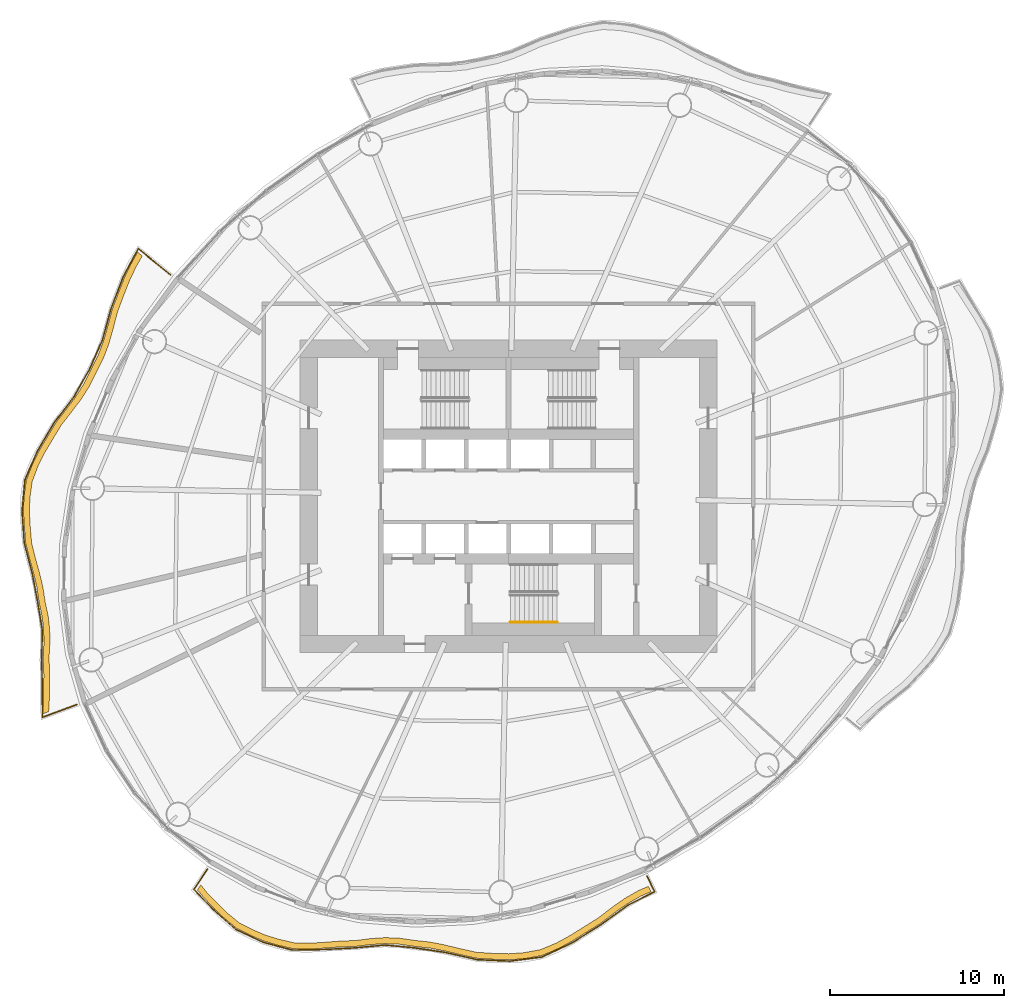
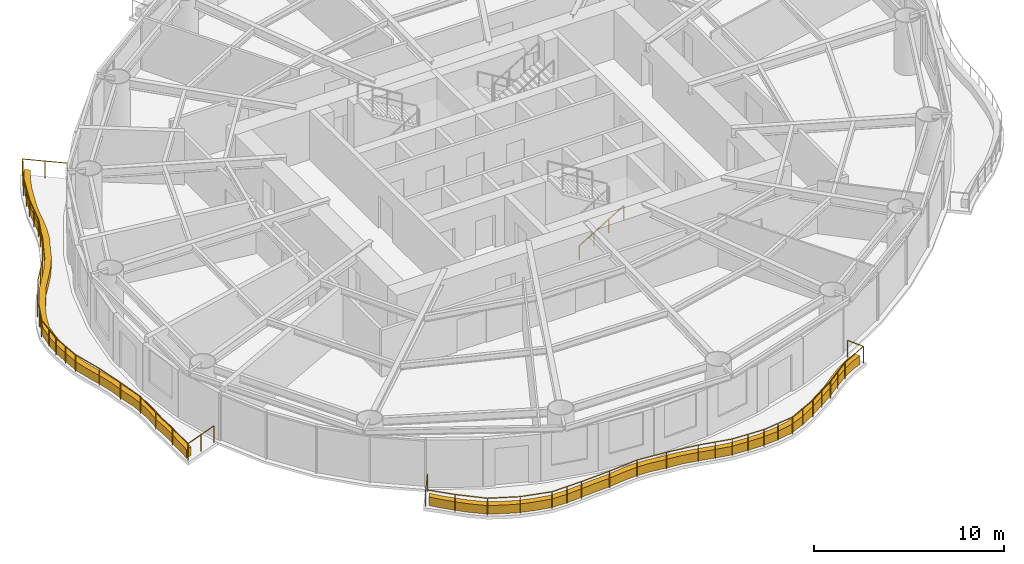
# One storey, part 12 of 14: 3 railings, 2 coverings.
"""IFC4 building model written with IfcOpenShell, lengths in metres."""

from ifc_helpers import new_model, si_unit, direction, frame, origin, origin_2d, place, context, subcontext, project, spatial, polyline, circle, outline, extrude, material, type_object, element, save


model = new_model("IFC4")

# Units and contexts
model_context = context("Model", 3, precision=1e-05, world=origin(), true_north=direction((0.0, 1.0)))
body_context = subcontext(model_context, "Body", "Model", "MODEL_VIEW")
ifc_project = project(units=[si_unit("LENGTHUNIT", "METRE"), si_unit("AREAUNIT", "SQUARE_METRE"), si_unit("VOLUMEUNIT", "CUBIC_METRE"), si_unit("PLANEANGLEUNIT", "RADIAN"), si_unit("MASSUNIT", "GRAM", prefix="KILO")], contexts=[model_context])

# Site, building, storey
site_placement = place(None, origin())
site = spatial("IfcSite", under=ifc_project, at=site_placement, CompositionType="ELEMENT")
building_placement = place(site_placement, origin())
building = spatial("IfcBuilding", under=site, at=building_placement, Name="Vermilion Reach Broadcast Tower", CompositionType="ELEMENT")
storey_placement = place(building_placement, frame((0.0, 0.0, 186.60009765625)))
storey = spatial("IfcBuildingStorey", under=building, at=storey_placement, Name="L45", CompositionType="ELEMENT", Elevation=186.60009765625)

# Coverings
ifc_material_1 = material(Name="Planting soil and greenery")
covering_type = type_object("IfcCoveringType", Name="Balcony PLANTER", PredefinedType="USERDEFINED", material=ifc_material_1)
placement = place(storey_placement, origin())
element("IfcCovering", 1, at=placement, inside=storey, type_object=covering_type, Name="PLANTER L45 group 2", ObjectType="PLANTER", PredefinedType="USERDEFINED", context=body_context, shape_type="SweptSolid", body=[
    extrude(outline(polyline([(-27.3603515625, 14.067138671875), (-27.728271484375, 13.435791015625), (-28.118408203125, 12.615966796875), (-28.453125, 11.755615234375), (-28.81787109375, 10.798583984375), (-29.07470703125, 9.82373046875), (-29.3232421875, 8.95458984375), (-29.636962890625, 8.122802734375), (-30.064208984375, 7.28466796875), (-30.47509765625, 6.456787109375), (-30.94482421875, 5.720947265625), (-31.478271484375, 5.01171875), (-32.089111328125, 4.220947265625), (-32.591064453125, 3.380126953125), (-33.03515625, 2.632568359375), (-33.422119140625, 1.86865234375), (-33.774169921875, 0.931396484375), (-33.909423828125, -0.03564453125), (-33.9365234375, -0.860107421875), (-33.889892578125, -1.69580078125), (-33.81103515625, -2.66943359375), (-33.582275390625, -3.6025390625), (-33.35791015625, -4.404052734375), (-33.167236328125, -5.205078125), (-33.036376953125, -6.085205078125), (-32.858642578125, -6.928466796875), (-32.770751953125, -7.702392578125), (-32.76025390625, -8.486328125), (-32.80517578125, -9.37646484375), (-32.763916015625, -10.260009765625), (-32.77490234375, -11.055908203125), (-32.7861328125, -11.852294921875), (-32.81005859375, -12.515625), (-32.481689453125, -12.39404296875), (-32.449462890625, -11.75634765625), (-32.438232421875, -10.960205078125), (-32.427490234375, -10.1640625), (-32.46240234375, -9.305908203125), (-32.413330078125, -8.441650390625), (-32.423583984375, -7.65771484375), (-32.51171875, -6.883544921875), (-32.686767578125, -6.065185546875), (-32.817138671875, -5.2099609375), (-33.0078125, -4.408935546875), (-33.232421875, -3.607421875), (-33.462158203125, -2.69775390625), (-33.543701171875, -1.747802734375), (-33.59033203125, -0.912109375), (-33.5634765625, -0.087646484375), (-33.43212890625, 0.857421875), (-33.08544921875, 1.772705078125), (-32.69873046875, 2.53662109375), (-32.25439453125, 3.2841796875), (-31.759033203125, 4.104736328125), (-31.15576171875, 4.875732421875), (-30.622314453125, 5.584716796875), (-30.152587890625, 6.32080078125), (-29.75048828125, 7.1298828125), (-29.33251953125, 7.949951171875), (-29.018798828125, 8.78173828125), (-28.7705078125, 9.65087890625), (-28.523681640625, 10.608642578125), (-28.170166015625, 11.549560546875), (-27.83544921875, 12.409912109375), (-27.4453125, 13.22998046875), (-27.089111328125, 13.845947265625), (-27.3603515625, 14.067138671875)])), origin(), (0.0, 0.0, 1.0), 0.5498046875),
])
element("IfcCovering", 2, at=placement, inside=storey, type_object=covering_type, Name="PLANTER L45 group 3", ObjectType="PLANTER", PredefinedType="USERDEFINED", context=body_context, shape_type="SweptSolid", body=[
    extrude(outline(polyline([(-23.917724609375, -22.656005859375), (-23.522705078125, -23.133056640625), (-22.968505859375, -23.70556640625), (-22.404541015625, -24.2607421875), (-21.669189453125, -24.8623046875), (-20.81591796875, -25.296630859375), (-20.09765625, -25.59912109375), (-19.35107421875, -25.82666015625), (-18.4267578125, -26.042236328125), (-17.44775390625, -26.063720703125), (-16.618896484375, -26.010986328125), (-15.787109375, -25.945556640625), (-14.866943359375, -25.916748046875), (-13.941162109375, -25.8037109375), (-13.114990234375, -25.752685546875), (-12.29541015625, -25.785400390625), (-11.412353515625, -25.91259765625), (-10.4951171875, -26.009765625), (-9.6455078125, -26.177734375), (-8.794189453125, -26.385009765625), (-7.822998046875, -26.59375), (-6.81787109375, -26.65625), (-5.940673828125, -26.679443359375), (-5.07763671875, -26.619140625), (-4.090576171875, -26.440185546875), (-3.14208984375, -26.04736328125), (-2.353759765625, -25.615478515625), (-1.580810546875, -25.13037109375), (-0.725830078125, -24.601318359375), (0.083251953125, -23.987548828125), (0.830322265625, -23.46240234375), (1.611083984375, -23.016845703125), (2.209228515625, -22.760009765625), (2.0556640625, -22.445556640625), (1.475341796875, -22.6943359375), (0.6943359375, -23.139892578125), (-0.052734375, -23.6650390625), (-0.84326171875, -24.271484375), (-1.6796875, -24.794677734375), (-2.452392578125, -25.27978515625), (-3.240966796875, -25.711669921875), (-4.169677734375, -26.09912109375), (-5.13671875, -26.274169921875), (-5.99951171875, -26.334228515625), (-6.876708984375, -26.311279296875), (-7.86083984375, -26.245849609375), (-8.810546875, -26.035400390625), (-9.662109375, -25.828125), (-10.511474609375, -25.66015625), (-11.406494140625, -25.562744140625), (-12.26708984375, -25.436767578125), (-13.08642578125, -25.40380859375), (-13.912841796875, -25.454833984375), (-14.81494140625, -25.570556640625), (-15.7119140625, -25.603759765625), (-16.543701171875, -25.669189453125), (-17.37255859375, -25.721923828125), (-18.327392578125, -25.70654296875), (-19.228271484375, -25.4990234375), (-19.974609375, -25.271484375), (-20.693115234375, -24.96875), (-21.522216796875, -24.544677734375), (-22.234375, -23.954833984375), (-22.79833984375, -23.39990234375), (-23.3525390625, -22.827392578125), (-23.724365234375, -22.3642578125), (-23.917724609375, -22.656005859375)])), origin(), (0.0, 0.0, 1.0), 0.5498046875),
])

# Railings
ifc_material_2 = material(Name="Stainless steel 316 balustrade", Category="steel")
railing_type_1 = type_object("IfcRailingType", Name="Balcony guard 1100", PredefinedType="BALUSTRADE", material=ifc_material_2)
railing_1_placement = place(storey_placement, frame((-25.470703125, 12.758056640625, 0.0)))
element("IfcRailing", 3, at=railing_1_placement, inside=storey, type_object=railing_type_1, Name="Balcony guard L45 group 2", PredefinedType="BALUSTRADE", context=body_context, shape_type="SweptSolid", body=[
    extrude(circle(Radius=0.02490234375, at=origin_2d()), frame((0.0, 0.0, 1.0751953125), z_axis=(-0.774933721887, 0.632042503857, 0.0), x_axis=(-0.632042503857, -0.774933721887, 0.0)), (0.0, 0.0, 1.0), 2.3818359375),
    extrude(circle(Radius=0.02490234375, at=origin_2d()), frame((-1.845703125, 1.50537109375, 1.0751953125), z_axis=(-0.476058428074, -0.879413652987, 0.0), x_axis=(0.879413652987, -0.476058428074, 0.0)), (0.0, 0.0, 1.0), 1.820068359375),
    extrude(circle(Radius=0.02490234375, at=origin_2d()), frame((-2.712158203125, -0.09521484375, 1.0751953125), z_axis=(-0.359758509101, -0.933045451803, 0.0), x_axis=(0.933045451803, -0.359758509101, 0.0)), (0.0, 0.0, 1.0), 1.95166015625),
    extrude(circle(Radius=0.02490234375, at=origin_2d()), frame((-3.414306640625, -1.916259765625, 1.0751953125), z_axis=(-0.26501433684, -0.964244471734, 0.0), x_axis=(0.964244471734, -0.26501433684, 0.0)), (0.0, 0.0, 1.0), 1.916259765625),
    extrude(circle(Radius=0.02490234375, at=origin_2d()), frame((-3.922119140625, -3.763916015625, 1.0751953125), z_axis=(-0.40569324733, -0.914009293755, 0.0), x_axis=(0.914009293755, -0.40569324733, 0.0)), (0.0, 0.0, 1.0), 1.831787109375),
    extrude(circle(Radius=0.02490234375, at=origin_2d()), frame((-4.665283203125, -5.438232421875, 1.0751953125), z_axis=(-0.490531797591, -0.871423292982, 0.0), x_axis=(0.871423292982, -0.490531797591, 0.0)), (0.0, 0.0, 1.0), 1.79931640625),
    extrude(circle(Radius=0.02490234375, at=origin_2d()), frame((-5.5478515625, -7.006103515625, 1.0751953125), z_axis=(-0.60597320142, -0.795485059043, 0.0), x_axis=(0.795485059043, -0.60597320142, 0.0)), (0.0, 0.0, 1.0), 1.89111328125),
    extrude(circle(Radius=0.02490234375, at=origin_2d()), frame((-6.69384765625, -8.510498046875, 1.0751953125), z_axis=(-0.511296289723, -0.859404505524, 0.0), x_axis=(0.859404505524, -0.511296289723, 0.0)), (0.0, 0.0, 1.0), 1.853515625),
    extrude(circle(Radius=0.02490234375, at=origin_2d()), frame((-7.6416015625, -10.103515625, 1.0751953125), z_axis=(-0.397924265953, -0.917418268057, 0.0), x_axis=(0.917418268057, -0.397924265953, 0.0)), (0.0, 0.0, 1.0), 1.859619140625),
    extrude(circle(Radius=0.02490234375, at=origin_2d()), frame((-8.381591796875, -11.8095703125, 1.0751953125), z_axis=(-0.090535746043, -0.995893206468, 0.0), x_axis=(0.995893206468, -0.090535746043, 0.0)), (0.0, 0.0, 1.0), 1.803955078125),
    extrude(circle(Radius=0.02490234375, at=origin_2d()), frame((-8.544921875, -13.606201171875, 1.0751953125), z_axis=(0.068585593362, -0.997645235734, 0.0), x_axis=(0.997645235734, 0.068585593362, 0.0)), (0.0, 0.0, 1.0), 1.819091796875),
    extrude(circle(Radius=0.02490234375, at=origin_2d()), frame((-8.420166015625, -15.4208984375, 1.0751953125), z_axis=(0.251979733637, -0.967732511511, 0.0), x_axis=(0.967732511511, 0.251979733637, 0.0)), (0.0, 0.0, 1.0), 1.79833984375),
    extrude(circle(Radius=0.02490234375, at=origin_2d()), frame((-7.967041015625, -17.1611328125, 1.0751953125), z_axis=(0.187249306925, -0.982312423344, 0.0), x_axis=(0.982312423344, 0.187249306925, 0.0)), (0.0, 0.0, 1.0), 1.717041015625),
    extrude(circle(Radius=0.02490234375, at=origin_2d()), frame((-7.6455078125, -18.847900390625, 1.0751953125), z_axis=(0.161822428699, -0.986819893177, 0.0), x_axis=(0.986819893177, 0.161822428699, 0.0)), (0.0, 0.0, 1.0), 1.64453125),
    extrude(circle(Radius=0.02490234375, at=origin_2d()), frame((-7.37939453125, -20.470703125, 1.0751953125), z_axis=(-0.019905951809, -0.999801856911, 0.0), x_axis=(0.999801856911, -0.019905951809, 0.0)), (0.0, 0.0, 1.0), 1.68017578125),
    extrude(circle(Radius=0.02490234375, at=origin_2d()), frame((-7.412841796875, -22.150634765625, 1.0751953125), z_axis=(0.018829053063, -0.999822717666, 0.0), x_axis=(0.999822717666, 0.018829053063, 0.0)), (0.0, 0.0, 1.0), 1.685546875),
    extrude(circle(Radius=0.02490234375, at=origin_2d()), frame((-7.381103515625, -23.8359375, 1.0751953125), z_axis=(0.009832659333, -0.999951658237, 0.0), x_axis=(0.999951658237, 0.009832659333, 0.0)), (0.0, 0.0, 1.0), 1.638671875),
    extrude(circle(Radius=0.02490234375, at=origin_2d()), frame((-7.364990234375, -25.474609375, 1.0751953125), z_axis=(0.937701442144, 0.347442089278, 0.0), x_axis=(-0.347442089278, 0.937701442144, 0.0)), (0.0, 0.0, 1.0), 2.116455078125),
    extrude(circle(Radius=0.02490234375, at=origin_2d()), origin(), (0.0, 0.0, 1.0), 1.050048828125),
    extrude(circle(Radius=0.02490234375, at=origin_2d()), frame((-0.9228515625, 0.752685546875, 0.0)), (0.0, 0.0, 1.0), 1.050048828125),
    extrude(circle(Radius=0.02490234375, at=origin_2d()), frame((-1.845703125, 1.50537109375, 0.0)), (0.0, 0.0, 1.0), 1.050048828125),
    extrude(circle(Radius=0.02490234375, at=origin_2d()), frame((-2.27880859375, 0.705078125, 0.0)), (0.0, 0.0, 1.0), 1.050048828125),
    extrude(circle(Radius=0.02490234375, at=origin_2d()), frame((-2.712158203125, -0.09521484375, 0.0)), (0.0, 0.0, 1.0), 1.050048828125),
    extrude(circle(Radius=0.02490234375, at=origin_2d()), frame((-3.063232421875, -1.005859375, 0.0)), (0.0, 0.0, 1.0), 1.050048828125),
    extrude(circle(Radius=0.02490234375, at=origin_2d()), frame((-3.414306640625, -1.916259765625, 0.0)), (0.0, 0.0, 1.0), 1.050048828125),
    extrude(circle(Radius=0.02490234375, at=origin_2d()), frame((-3.668212890625, -2.840087890625, 0.0)), (0.0, 0.0, 1.0), 1.050048828125),
    extrude(circle(Radius=0.02490234375, at=origin_2d()), frame((-3.922119140625, -3.763916015625, 0.0)), (0.0, 0.0, 1.0), 1.050048828125),
    extrude(circle(Radius=0.02490234375, at=origin_2d()), frame((-4.293701171875, -4.60107421875, 0.0)), (0.0, 0.0, 1.0), 1.050048828125),
    extrude(circle(Radius=0.02490234375, at=origin_2d()), frame((-4.665283203125, -5.438232421875, 0.0)), (0.0, 0.0, 1.0), 1.050048828125),
    extrude(circle(Radius=0.02490234375, at=origin_2d()), frame((-5.5478515625, -7.006103515625, 0.0)), (0.0, 0.0, 1.0), 1.050048828125),
    extrude(circle(Radius=0.02490234375, at=origin_2d()), frame((-6.120849609375, -7.75830078125, 0.0)), (0.0, 0.0, 1.0), 1.050048828125),
    extrude(circle(Radius=0.02490234375, at=origin_2d()), frame((-6.69384765625, -8.510498046875, 0.0)), (0.0, 0.0, 1.0), 1.050048828125),
    extrude(circle(Radius=0.02490234375, at=origin_2d()), frame((-7.167724609375, -9.30712890625, 0.0)), (0.0, 0.0, 1.0), 1.050048828125),
    extrude(circle(Radius=0.02490234375, at=origin_2d()), frame((-7.6416015625, -10.103515625, 0.0)), (0.0, 0.0, 1.0), 1.050048828125),
    extrude(circle(Radius=0.02490234375, at=origin_2d()), frame((-8.01171875, -10.95654296875, 0.0)), (0.0, 0.0, 1.0), 1.050048828125),
    extrude(circle(Radius=0.02490234375, at=origin_2d()), frame((-8.381591796875, -11.8095703125, 0.0)), (0.0, 0.0, 1.0), 1.050048828125),
    extrude(circle(Radius=0.02490234375, at=origin_2d()), frame((-8.46337890625, -12.7080078125, 0.0)), (0.0, 0.0, 1.0), 1.050048828125),
    extrude(circle(Radius=0.02490234375, at=origin_2d()), frame((-8.544921875, -13.606201171875, 0.0)), (0.0, 0.0, 1.0), 1.050048828125),
    extrude(circle(Radius=0.02490234375, at=origin_2d()), frame((-8.482421875, -14.513671875, 0.0)), (0.0, 0.0, 1.0), 1.050048828125),
    extrude(circle(Radius=0.02490234375, at=origin_2d()), frame((-8.420166015625, -15.4208984375, 0.0)), (0.0, 0.0, 1.0), 1.050048828125),
    extrude(circle(Radius=0.02490234375, at=origin_2d()), frame((-7.967041015625, -17.1611328125, 0.0)), (0.0, 0.0, 1.0), 1.050048828125),
    extrude(circle(Radius=0.02490234375, at=origin_2d()), frame((-7.6455078125, -18.847900390625, 0.0)), (0.0, 0.0, 1.0), 1.050048828125),
    extrude(circle(Radius=0.02490234375, at=origin_2d()), frame((-7.37939453125, -20.470703125, 0.0)), (0.0, 0.0, 1.0), 1.050048828125),
    extrude(circle(Radius=0.02490234375, at=origin_2d()), frame((-7.412841796875, -22.150634765625, 0.0)), (0.0, 0.0, 1.0), 1.050048828125),
    extrude(circle(Radius=0.02490234375, at=origin_2d()), frame((-7.381103515625, -23.8359375, 0.0)), (0.0, 0.0, 1.0), 1.050048828125),
    extrude(circle(Radius=0.02490234375, at=origin_2d()), frame((-7.364990234375, -25.474609375, 0.0)), (0.0, 0.0, 1.0), 1.050048828125),
    extrude(circle(Radius=0.02490234375, at=origin_2d()), frame((-6.37255859375, -25.10693359375, 0.0)), (0.0, 0.0, 1.0), 1.050048828125),
    extrude(circle(Radius=0.02490234375, at=origin_2d()), frame((-5.38037109375, -24.7392578125, 0.0)), (0.0, 0.0, 1.0), 1.050048828125),
])
railing_2_placement = place(storey_placement, frame((-23.33935546875, -21.45849609375, 0.0)))
element("IfcRailing", 4, at=railing_2_placement, inside=storey, type_object=railing_type_1, Name="Balcony guard L45 group 3", PredefinedType="BALUSTRADE", context=body_context, shape_type="SweptSolid", body=[
    extrude(circle(Radius=0.02490234375, at=origin_2d()), frame((0.0, 0.0, 1.0751953125), z_axis=(-0.552462903172, -0.833537486031, 0.0), x_axis=(0.833537486031, -0.552462903172, 0.0)), (0.0, 0.0, 1.0), 1.411376953125),
    extrude(circle(Radius=0.02490234375, at=origin_2d()), frame((-0.77978515625, -1.176513671875, 1.0751953125), z_axis=(0.697927229157, -0.716168683203, 0.0), x_axis=(0.716168683203, 0.697927229157, 0.0)), (0.0, 0.0, 1.0), 1.5927734375),
    extrude(circle(Radius=0.02490234375, at=origin_2d()), frame((0.331787109375, -2.317138671875, 1.0751953125), z_axis=(0.747563658134, -0.664190166321, 0.0), x_axis=(0.664190166321, 0.747563658134, 0.0)), (0.0, 0.0, 1.0), 1.745361328125),
    extrude(circle(Radius=0.02490234375, at=origin_2d()), frame((1.636474609375, -3.476318359375, 1.0751953125), z_axis=(0.90546566915, -0.424419511793, 0.0), x_axis=(0.424419511793, 0.90546566915, 0.0)), (0.0, 0.0, 1.0), 1.74169921875),
    extrude(circle(Radius=0.02490234375, at=origin_2d()), frame((3.213623046875, -4.215576171875, 1.0751953125), z_axis=(0.966547314746, -0.2564883786, 0.0), x_axis=(0.2564883786, 0.966547314746, 0.0)), (0.0, 0.0, 1.0), 1.734375),
    extrude(circle(Radius=0.02490234375, at=origin_2d()), frame((4.889892578125, -4.660400390625, 1.0751953125), z_axis=(0.999865147805, 0.016422125476, 0.0), x_axis=(-0.016422125476, 0.999865147805, 0.0)), (0.0, 0.0, 1.0), 1.813720703125),
    extrude(circle(Radius=0.02490234375, at=origin_2d()), frame((6.703369140625, -4.630615234375, 1.0751953125), z_axis=(0.998594349751, 0.05300306261, 0.0), x_axis=(-0.05300306261, 0.998594349751, 0.0)), (0.0, 0.0, 1.0), 1.759521484375),
    extrude(circle(Radius=0.02490234375, at=origin_2d()), frame((8.46044921875, -4.537353515625, 1.0751953125), z_axis=(0.995709814496, 0.092530888443, 0.0), x_axis=(-0.092530888443, 0.995709814496, 0.0)), (0.0, 0.0, 1.0), 1.76513671875),
    extrude(circle(Radius=0.02490234375, at=origin_2d()), frame((10.218017578125, -4.3740234375, 1.0751953125), z_axis=(0.995630090865, -0.093384806921, 0.0), x_axis=(0.093384806921, 0.995630090865, 0.0)), (0.0, 0.0, 1.0), 1.715087890625),
    extrude(circle(Radius=0.02490234375, at=origin_2d()), frame((11.925537109375, -4.5341796875, 1.0751953125), z_axis=(0.988990259194, -0.147980631232, 0.0), x_axis=(0.147980631232, 0.988990259194, 0.0)), (0.0, 0.0, 1.0), 1.791748046875),
    extrude(circle(Radius=0.02490234375, at=origin_2d()), frame((13.697509765625, -4.79931640625, 1.0751953125), z_axis=(0.975108535331, -0.221728086457, 0.0), x_axis=(0.221728086457, 0.975108535331, 0.0)), (0.0, 0.0, 1.0), 1.8740234375),
    extrude(circle(Radius=0.02490234375, at=origin_2d()), frame((15.52490234375, -5.21484375, 1.0751953125), z_axis=(0.998988164382, -0.044973852679, 0.0), x_axis=(0.044973852679, 0.998988164382, 0.0)), (0.0, 0.0, 1.0), 1.88916015625),
    extrude(circle(Radius=0.02490234375, at=origin_2d()), frame((17.412109375, -5.2998046875, 1.0751953125), z_axis=(0.991715753559, 0.12845179696, 0.0), x_axis=(-0.12845179696, 0.991715753559, 0.0)), (0.0, 0.0, 1.0), 1.8701171875),
    extrude(circle(Radius=0.02490234375, at=origin_2d()), frame((19.266845703125, -5.0595703125, 1.0751953125), z_axis=(0.903531394946, 0.428521899496, 0.0), x_axis=(-0.428521899496, 0.903531394946, 0.0)), (0.0, 0.0, 1.0), 1.927490234375),
    extrude(circle(Radius=0.02490234375, at=origin_2d()), frame((21.00830078125, -4.233642578125, 1.0751953125), z_axis=(0.849031283098, 0.528342578562, 0.0), x_axis=(-0.528342578562, 0.849031283098, 0.0)), (0.0, 0.0, 1.0), 1.92236328125),
    extrude(circle(Radius=0.02490234375, at=origin_2d()), frame((22.640380859375, -3.218017578125, 1.0751953125), z_axis=(0.807395750885, 0.590010255379, 0.0), x_axis=(-0.590010255379, 0.807395750885, 0.0)), (0.0, 0.0, 1.0), 1.932861328125),
    extrude(circle(Radius=0.02490234375, at=origin_2d()), frame((24.200927734375, -2.07763671875, 1.0751953125), z_axis=(0.894455392135, 0.447157188784, 0.0), x_axis=(-0.447157188784, 0.894455392135, 0.0)), (0.0, 0.0, 1.0), 1.731201171875),
    extrude(circle(Radius=0.02490234375, at=origin_2d()), frame((25.74951171875, -1.303466796875, 1.0751953125), z_axis=(-0.438438166128, 0.898761355691, 0.0), x_axis=(-0.898761355691, -0.438438166128, 0.0)), (0.0, 0.0, 1.0), 0.992919921875),
    extrude(circle(Radius=0.02490234375, at=origin_2d()), origin(), (0.0, 0.0, 1.0), 1.050048828125),
    extrude(circle(Radius=0.02490234375, at=origin_2d()), frame((-0.77978515625, -1.176513671875, 0.0)), (0.0, 0.0, 1.0), 1.050048828125),
    extrude(circle(Radius=0.02490234375, at=origin_2d()), frame((0.331787109375, -2.317138671875, 0.0)), (0.0, 0.0, 1.0), 1.050048828125),
    extrude(circle(Radius=0.02490234375, at=origin_2d()), frame((1.636474609375, -3.476318359375, 0.0)), (0.0, 0.0, 1.0), 1.050048828125),
    extrude(circle(Radius=0.02490234375, at=origin_2d()), frame((3.213623046875, -4.215576171875, 0.0)), (0.0, 0.0, 1.0), 1.050048828125),
    extrude(circle(Radius=0.02490234375, at=origin_2d()), frame((4.889892578125, -4.660400390625, 0.0)), (0.0, 0.0, 1.0), 1.050048828125),
    extrude(circle(Radius=0.02490234375, at=origin_2d()), frame((5.796630859375, -4.6455078125, 0.0)), (0.0, 0.0, 1.0), 1.050048828125),
    extrude(circle(Radius=0.02490234375, at=origin_2d()), frame((6.703369140625, -4.630615234375, 0.0)), (0.0, 0.0, 1.0), 1.050048828125),
    extrude(circle(Radius=0.02490234375, at=origin_2d()), frame((8.46044921875, -4.537353515625, 0.0)), (0.0, 0.0, 1.0), 1.050048828125),
    extrude(circle(Radius=0.02490234375, at=origin_2d()), frame((10.218017578125, -4.3740234375, 0.0)), (0.0, 0.0, 1.0), 1.050048828125),
    extrude(circle(Radius=0.02490234375, at=origin_2d()), frame((11.925537109375, -4.5341796875, 0.0)), (0.0, 0.0, 1.0), 1.050048828125),
    extrude(circle(Radius=0.02490234375, at=origin_2d()), frame((13.697509765625, -4.79931640625, 0.0)), (0.0, 0.0, 1.0), 1.050048828125),
    extrude(circle(Radius=0.02490234375, at=origin_2d()), frame((14.611328125, -5.007080078125, 0.0)), (0.0, 0.0, 1.0), 1.050048828125),
    extrude(circle(Radius=0.02490234375, at=origin_2d()), frame((15.52490234375, -5.21484375, 0.0)), (0.0, 0.0, 1.0), 1.050048828125),
    extrude(circle(Radius=0.02490234375, at=origin_2d()), frame((16.468505859375, -5.25732421875, 0.0)), (0.0, 0.0, 1.0), 1.050048828125),
    extrude(circle(Radius=0.02490234375, at=origin_2d()), frame((17.412109375, -5.2998046875, 0.0)), (0.0, 0.0, 1.0), 1.050048828125),
    extrude(circle(Radius=0.02490234375, at=origin_2d()), frame((18.33935546875, -5.1796875, 0.0)), (0.0, 0.0, 1.0), 1.050048828125),
    extrude(circle(Radius=0.02490234375, at=origin_2d()), frame((19.266845703125, -5.0595703125, 0.0)), (0.0, 0.0, 1.0), 1.050048828125),
    extrude(circle(Radius=0.02490234375, at=origin_2d()), frame((20.1376953125, -4.646484375, 0.0)), (0.0, 0.0, 1.0), 1.050048828125),
    extrude(circle(Radius=0.02490234375, at=origin_2d()), frame((21.00830078125, -4.233642578125, 0.0)), (0.0, 0.0, 1.0), 1.050048828125),
    extrude(circle(Radius=0.02490234375, at=origin_2d()), frame((21.82421875, -3.725830078125, 0.0)), (0.0, 0.0, 1.0), 1.050048828125),
    extrude(circle(Radius=0.02490234375, at=origin_2d()), frame((22.640380859375, -3.218017578125, 0.0)), (0.0, 0.0, 1.0), 1.050048828125),
    extrude(circle(Radius=0.02490234375, at=origin_2d()), frame((23.420654296875, -2.64794921875, 0.0)), (0.0, 0.0, 1.0), 1.050048828125),
    extrude(circle(Radius=0.02490234375, at=origin_2d()), frame((24.200927734375, -2.07763671875, 0.0)), (0.0, 0.0, 1.0), 1.050048828125),
    extrude(circle(Radius=0.02490234375, at=origin_2d()), frame((25.74951171875, -1.303466796875, 0.0)), (0.0, 0.0, 1.0), 1.050048828125),
    extrude(circle(Radius=0.02490234375, at=origin_2d()), frame((25.314208984375, -0.4111328125, 0.0)), (0.0, 0.0, 1.0), 1.050048828125),
])
ifc_material_3 = material(Name="Stainless steel", Category="steel")
railing_type_2 = type_object("IfcRailingType", Name="Stair handrail", PredefinedType="HANDRAIL", material=ifc_material_3)
railing_3_placement = place(storey_placement, frame((-5.89990234375, -7.25, 0.16357421875)))
element("IfcRailing", 5, at=railing_3_placement, inside=storey, type_object=railing_type_2, Name="L45 ST3 stair handrail 1", PredefinedType="HANDRAIL", context=body_context, shape_type="SweptSolid", body=[
    extrude(circle(Radius=0.02392578125, at=origin_2d()), frame((0.0, 0.0, 0.8759765625), z_axis=(0.855212373127, 0.0, 0.518277721738), x_axis=(0.0, 1.0, 0.0)), (0.0, 0.0, 1.0), 3.156982421875),
    extrude(circle(Radius=0.02099609375, at=origin_2d()), origin(), (0.0, 0.0, 1.0), 0.851806640625),
    extrude(circle(Radius=0.02099609375, at=origin_2d()), frame((0.89990234375, 0.0, 0.54541015625)), (0.0, 0.0, 1.0), 0.851806640625),
    extrude(circle(Radius=0.02099609375, at=origin_2d()), frame((1.800048828125, 0.0, 1.0908203125)), (0.0, 0.0, 1.0), 0.851806640625),
    extrude(circle(Radius=0.02099609375, at=origin_2d()), frame((2.699951171875, 0.0, 1.63623046875)), (0.0, 0.0, 1.0), 0.851806640625),
])

save(model, "model.ifc")
